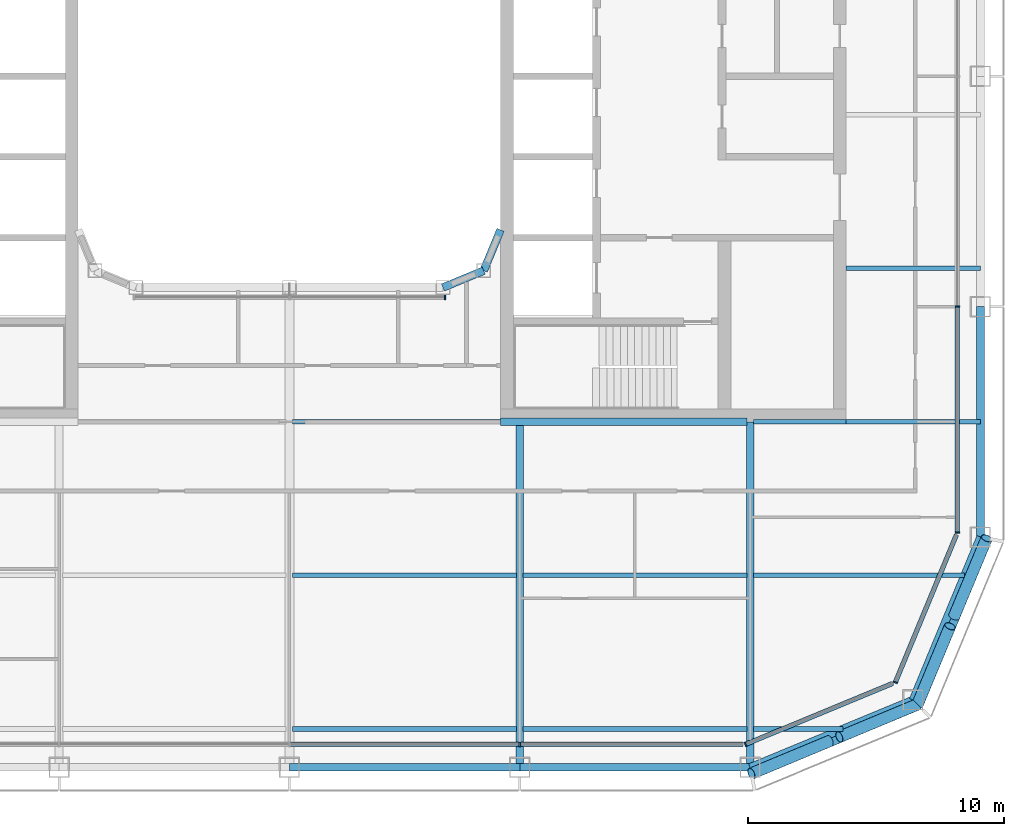
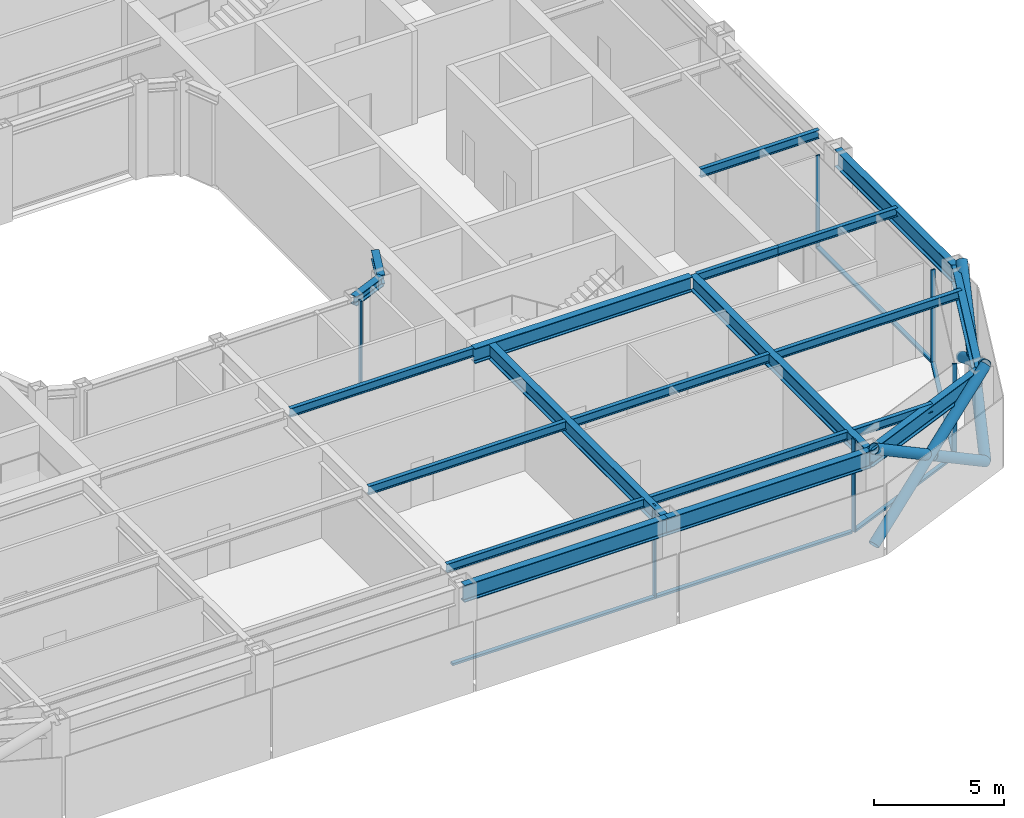
# One storey, part 4 of 19: 20 beams, 17 members, 5 elements without a shape of their own.
"""IFC4 building model written with IfcOpenShell, lengths in metres."""

from ifc_helpers import new_model, si_unit, direction, frame, origin, origin_2d, place, context, subcontext, project, spatial, rectangle, hollow_circle, i_section, extrude, material, layer, layer_set, material_profile, profile_set, type_object, element, aggregate, save


model = new_model("IFC4")

# Units and contexts
model_context = context("Model", 3, precision=1e-05, world=origin(), true_north=direction((0.0, 1.0)))
body_context = subcontext(model_context, "Body", "Model", "MODEL_VIEW")
ifc_project = project(units=[si_unit("LENGTHUNIT", "METRE"), si_unit("AREAUNIT", "SQUARE_METRE"), si_unit("VOLUMEUNIT", "CUBIC_METRE"), si_unit("PLANEANGLEUNIT", "RADIAN"), si_unit("MASSUNIT", "GRAM", prefix="KILO")], contexts=[model_context])

# Site, building, storey
site_placement = place(None, origin())
site = spatial("IfcSite", under=ifc_project, at=site_placement, CompositionType="ELEMENT")
building_placement = place(site_placement, origin())
building = spatial("IfcBuilding", under=site, at=building_placement, Name="Siwar Civic Tower", CompositionType="ELEMENT")
storey_placement = place(building_placement, frame((0.0, 0.0, 264.699951171875)))
storey = spatial("IfcBuildingStorey", under=building, at=storey_placement, Name="L57", CompositionType="ELEMENT", Elevation=264.699951171875)

# Curtain wall, member
ifc_material_1 = material(Name="Aluminium and glass", Category="aluminium")
ifc_layer_1 = layer(ifc_material_1, 0.179931640625)
ifc_layer_set_1 = layer_set([ifc_layer_1], Name="Aluminium and glass")
curtain_wall_type_1 = type_object("IfcCurtainWallType", Name="ENV-CW-C", PredefinedType="NOTDEFINED", material=ifc_layer_set_1)
curtain_wall_1_placement = place(storey_placement, origin())
curtain_wall_1 = element("IfcCurtainWall", 1, at=curtain_wall_1_placement, inside=storey, type_object=curtain_wall_type_1, Name="Curtain wall C S", PredefinedType="NOTDEFINED")
ifc_material_2 = material(Name="Aluminium 6063-T6", Category="aluminium")
ifc_material_profile_1 = material_profile(ifc_material_2, rectangle(XDim=0.179931640625, YDim=0.06005859375, at=origin_2d()), Name="AL 180x60")
ifc_profile_set_1 = profile_set([ifc_material_profile_1], Name="Aluminium 6063-T6")
member_type_1 = type_object("IfcMemberType", Name="ENV-MULLION-C", PredefinedType="MULLION", material=ifc_profile_set_1)
member_1_placement = place(storey_placement, frame((9.0, -26.10009765625, 0.0), z_axis=(0.0, 0.0, 1.0), x_axis=(0.0, 1.0, 0.0)))
member_1 = element("IfcMember", 2, at=member_1_placement, type_object=member_type_1, Name="Mullion C S 4", PredefinedType="MULLION", context=body_context, shape_type="SweptSolid", body=[
    extrude(rectangle(XDim=0.179931640625, YDim=0.06005859375, at=origin_2d()), origin(), (0.0, 0.0, 1.0), 4.35009765625),
])

ifc_material_3 = material(Name="Aluminium clad insulated panel", Category="aluminium")
ifc_layer_2 = layer(ifc_material_3, 0.179931640625)
ifc_layer_set_2 = layer_set([ifc_layer_2], Name="Aluminium clad insulated panel")
curtain_wall_type_2 = type_object("IfcCurtainWallType", Name="ENV-CW-CX", PredefinedType="NOTDEFINED", material=ifc_layer_set_2)
curtain_wall_2_placement = place(storey_placement, origin())
curtain_wall_2 = element("IfcCurtainWall", 3, at=curtain_wall_2_placement, inside=storey, type_object=curtain_wall_type_2, Name="Curtain wall C SE1", PredefinedType="NOTDEFINED")
member_2_placement = place(storey_placement, frame((17.821044921875, -26.10009765625, 0.0), z_axis=(0.0, 0.0, 1.0), x_axis=(-0.382683432365, 0.923879532511, 0.0)))
member_2 = element("IfcMember", 4, at=member_2_placement, type_object=member_type_1, Name="Mullion C SE1 1", PredefinedType="MULLION", context=body_context, shape_type="SweptSolid", body=[
    extrude(rectangle(XDim=0.179931640625, YDim=0.06005859375, at=origin_2d()), origin(), (0.0, 0.0, 1.0), 4.35009765625),
])

curtain_wall_3_placement = place(storey_placement, origin())
curtain_wall_3 = element("IfcCurtainWall", 5, at=curtain_wall_3_placement, inside=storey, type_object=curtain_wall_type_2, Name="Curtain wall C SE2", PredefinedType="NOTDEFINED")
member_3_placement = place(storey_placement, frame((23.675048828125, -23.675048828125, 0.0), z_axis=(0.0, 0.0, 1.0), x_axis=(-0.923879532511, 0.382683432365, 0.0)))
member_3 = element("IfcMember", 6, at=member_3_placement, type_object=member_type_1, Name="Mullion C SE2 1", PredefinedType="MULLION", context=body_context, shape_type="SweptSolid", body=[
    extrude(rectangle(XDim=0.179931640625, YDim=0.06005859375, at=origin_2d()), origin(), (0.0, 0.0, 1.0), 4.35009765625),
])

# Curtain wall, members
curtain_wall_4_placement = place(storey_placement, origin())
curtain_wall_4 = element("IfcCurtainWall", 7, at=curtain_wall_4_placement, inside=storey, type_object=curtain_wall_type_1, Name="Curtain wall C E", PredefinedType="NOTDEFINED")
member_4_placement = place(storey_placement, frame((26.10009765625, -17.821044921875, 0.0), z_axis=(0.0, 0.0, 1.0), x_axis=(-1.0, 0.0, 0.0)))
member_4 = element("IfcMember", 8, at=member_4_placement, type_object=member_type_1, Name="Mullion C E 1", PredefinedType="MULLION", context=body_context, shape_type="SweptSolid", body=[
    extrude(rectangle(XDim=0.179931640625, YDim=0.06005859375, at=origin_2d()), origin(), (0.0, 0.0, 1.0), 4.35009765625),
])
member_5_placement = place(storey_placement, frame((26.10009765625, -9.0, 0.0), z_axis=(0.0, 0.0, 1.0), x_axis=(-1.0, 0.0, 0.0)))
member_5 = element("IfcMember", 9, at=member_5_placement, type_object=member_type_1, Name="Mullion C E 2", PredefinedType="MULLION", context=body_context, shape_type="SweptSolid", body=[
    extrude(rectangle(XDim=0.179931640625, YDim=0.06005859375, at=origin_2d()), origin(), (0.0, 0.0, 1.0), 4.35009765625),
])

# Curtain wall, member
ifc_material_4 = material(Name="Aluminium and glass", Category="aluminium")
ifc_layer_3 = layer(ifc_material_4, 0.179931640625)
ifc_layer_set_3 = layer_set([ifc_layer_3], Name="Aluminium and glass")
curtain_wall_type_3 = type_object("IfcCurtainWallType", Name="ENV-CW-W", PredefinedType="NOTDEFINED", material=ifc_layer_set_3)
curtain_wall_5_placement = place(storey_placement, origin())
curtain_wall_5 = element("IfcCurtainWall", 10, at=curtain_wall_5_placement, inside=storey, type_object=curtain_wall_type_3, Name="Curtain wall W WS", PredefinedType="NOTDEFINED")
ifc_material_5 = material(Name="Aluminium 6063-T6", Category="aluminium")
ifc_material_profile_2 = material_profile(ifc_material_5, rectangle(XDim=0.179931640625, YDim=0.06005859375, at=origin_2d()), Name="AL 180x60")
ifc_profile_set_2 = profile_set([ifc_material_profile_2], Name="Aluminium 6063-T6")
member_type_2 = type_object("IfcMemberType", Name="ENV-MULLION-W", PredefinedType="MULLION", material=ifc_profile_set_2)
member_6_placement = place(storey_placement, frame((6.07666015625, -8.635009765625, 0.0), z_axis=(0.0, 0.0, 1.0), x_axis=(0.0, 1.0, 0.0)))
member_6 = element("IfcMember", 11, at=member_6_placement, type_object=member_type_2, Name="Mullion W WS 3", PredefinedType="MULLION", context=body_context, shape_type="SweptSolid", body=[
    extrude(rectangle(XDim=0.179931640625, YDim=0.06005859375, at=origin_2d()), origin(), (0.0, 0.0, 1.0), 4.35009765625),
])
aggregate(curtain_wall_5, [member_6])

# Member
ifc_material_6 = material(Name="Aluminium 6063-T6", Category="aluminium")
ifc_material_profile_3 = material_profile(ifc_material_6, rectangle(XDim=0.179931640625, YDim=0.10009765625, at=origin_2d()), Name="AL 180x100")
ifc_profile_set_3 = profile_set([ifc_material_profile_3], Name="Aluminium 6063-T6")
member_type_3 = type_object("IfcMemberType", Name="ENV-TRANSOM-C", PredefinedType="USERDEFINED", material=ifc_profile_set_3)
member_7_placement = place(storey_placement, frame((0.030029296875, -26.10009765625, 0.050048828125), z_axis=(1.0, 0.0, 0.0), x_axis=(0.0, 1.0, 0.0)))
member_7 = element("IfcMember", 12, at=member_7_placement, type_object=member_type_3, Name="Transom C S 3", ObjectType="TRANSOM", PredefinedType="USERDEFINED", context=body_context, shape_type="SweptSolid", body=[
    extrude(rectangle(XDim=0.179931640625, YDim=0.10009765625, at=origin_2d()), origin(), (0.0, 0.0, 1.0), 8.93994140625),
])

member_8_placement = place(storey_placement, frame((9.030029296875, -26.10009765625, 0.050048828125), z_axis=(1.0, 0.0, 0.0), x_axis=(0.0, 1.0, 0.0)))
member_8 = element("IfcMember", 13, at=member_8_placement, type_object=member_type_3, Name="Transom C S 4", ObjectType="TRANSOM", PredefinedType="USERDEFINED", context=body_context, shape_type="SweptSolid", body=[
    extrude(rectangle(XDim=0.179931640625, YDim=0.10009765625, at=origin_2d()), origin(), (0.0, 0.0, 1.0), 8.68603515625),
])

aggregate(curtain_wall_1, [member_1, member_7, member_8])

member_9_placement = place(storey_placement, frame((17.8486328125, -26.088623046875, 0.050048828125), z_axis=(0.923882011223, 0.38267744817, 0.0), x_axis=(-0.38267744817, 0.923882011223, 0.0)))
member_9 = element("IfcMember", 14, at=member_9_placement, type_object=member_type_3, Name="Transom C SE1 1", ObjectType="TRANSOM", PredefinedType="USERDEFINED", context=body_context, shape_type="SweptSolid", body=[
    extrude(rectangle(XDim=0.179931640625, YDim=0.10009765625, at=origin_2d()), origin(), (0.0, 0.0, 1.0), 6.201904296875),
])

aggregate(curtain_wall_2, [member_2, member_9])

member_10_placement = place(storey_placement, frame((23.6865234375, -23.6474609375, 0.050048828125), z_axis=(0.382691366456, 0.923876246063, 0.0), x_axis=(-0.923876246063, 0.382691366456, 0.0)))
member_10 = element("IfcMember", 15, at=member_10_placement, type_object=member_type_3, Name="Transom C SE2 1", ObjectType="TRANSOM", PredefinedType="USERDEFINED", context=body_context, shape_type="SweptSolid", body=[
    extrude(rectangle(XDim=0.179931640625, YDim=0.10009765625, at=origin_2d()), origin(), (0.0, 0.0, 1.0), 6.20166015625),
])

aggregate(curtain_wall_3, [member_3, member_10])

member_11_placement = place(storey_placement, frame((26.10009765625, -17.791015625, 0.050048828125), z_axis=(0.0, 1.0, 0.0), x_axis=(-1.0, 0.0, 0.0)))
member_11 = element("IfcMember", 16, at=member_11_placement, type_object=member_type_3, Name="Transom C E 1", ObjectType="TRANSOM", PredefinedType="USERDEFINED", context=body_context, shape_type="SweptSolid", body=[
    extrude(rectangle(XDim=0.179931640625, YDim=0.10009765625, at=origin_2d()), origin(), (0.0, 0.0, 1.0), 8.760986328125),
])

aggregate(curtain_wall_4, [member_4, member_5, member_11])

# Members
ifc_material_7 = material(Name="Steel S355", Category="steel")
ifc_material_profile_4 = material_profile(ifc_material_7, hollow_circle(Radius=0.228515625, WallThickness=0.02001953125, at=origin_2d()), Name="CHS457x20")
ifc_profile_set_4 = profile_set([ifc_material_profile_4], Name="Steel S355")
member_type_4 = type_object("IfcMemberType", Name="STR-BR-CHS457x20", PredefinedType="BRACE", material=ifc_profile_set_4)
member_12_placement = place(storey_placement, frame((27.2451171875, -18.048828125, 0.0), z_axis=(-0.323905527954, -0.777554562952, 0.538975055633), x_axis=(0.923108759191, -0.384538969033, 0.0)))
element("IfcMember", 17, at=member_12_placement, inside=storey, type_object=member_type_4, Name="L57/brc/CSE1-17-0-1", PredefinedType="BRACE", context=body_context, shape_type="SweptSolid", body=[
    extrude(hollow_circle(Radius=0.228515625, WallThickness=0.02001953125, at=origin_2d()), origin(), (0.0, 0.0, 1.0), 8.34912109375),
])
for number, where, z_axis, x_axis, name in (
    (18, (24.540771484375, -24.540771484375, 0.0), (0.323884455881, 0.777546448489, 0.538999424564), (-0.92311621485, 0.38452107079, 0.0), "L57/brc/CSE1-17-0-2"),
    (19, (25.972900390625, -21.10302734375, 2.383056640625), (0.323895306243, 0.777572496853, 0.538955325357), (-0.92311621485, 0.38452107079, 0.0), "L57/brc/CSE1-17-0-3"),
):
    element("IfcMember", number, at=place(storey_placement, frame(where, z_axis=z_axis, x_axis=x_axis)), inside=storey, type_object=member_type_4, Name=name, PredefinedType="BRACE", context=body_context, shape_type="SweptSolid", body=[
        extrude(hollow_circle(Radius=0.228515625, WallThickness=0.02001953125, at=origin_2d()), origin(), (0.0, 0.0, 1.0), 3.927978515625),
    ])
member_13_placement = place(storey_placement, frame((18.048828125, -27.2451171875, 0.0), z_axis=(0.777554562952, 0.323905527954, 0.538975055633), x_axis=(-0.384538969033, 0.923108759191, 0.0)))
element("IfcMember", 20, at=member_13_placement, inside=storey, type_object=member_type_4, Name="L57/brc/CSE1-17-0-0", PredefinedType="BRACE", context=body_context, shape_type="SweptSolid", body=[
    extrude(hollow_circle(Radius=0.228515625, WallThickness=0.02001953125, at=origin_2d()), origin(), (0.0, 0.0, 1.0), 8.34912109375),
])
for number, where, z_axis, x_axis, name in (
    (21, (24.540771484375, -24.540771484375, 0.0), (-0.777546448489, -0.323884455881, 0.538999424564), (0.38452107079, -0.92311621485, 0.0), "L57/brc/CSE1-17-0-4"),
    (22, (21.10302734375, -25.972900390625, 2.383056640625), (-0.777572496853, -0.323895306243, 0.538955325357), (0.38452107079, -0.92311621485, 0.0), "L57/brc/CSE1-17-0-5"),
):
    element("IfcMember", number, at=place(storey_placement, frame(where, z_axis=z_axis, x_axis=x_axis)), inside=storey, type_object=member_type_4, Name=name, PredefinedType="BRACE", context=body_context, shape_type="SweptSolid", body=[
        extrude(hollow_circle(Radius=0.228515625, WallThickness=0.02001953125, at=origin_2d()), origin(), (0.0, 0.0, 1.0), 3.927978515625),
    ])

# Beams
ifc_material_8 = material(Name="Steel S355", Category="steel")
ifc_material_profile_5 = material_profile(ifc_material_8, i_section(OverallWidth=0.179931640625, OverallDepth=0.39990234375, WebThickness=0.008544921875, FlangeThickness=0.013427734375, FilletRadius=0.02099609375, at=origin_2d()), Name="IPE400")
ifc_profile_set_5 = profile_set([ifc_material_profile_5], Name="Steel S355")
beam_type_1 = type_object("IfcBeamType", Name="STR-FB-IPE400", PredefinedType="JOIST", material=ifc_profile_set_5)
for number, where, z_axis, x_axis, name in (
    (23, (0.1298828125, -25.5, 4.150146484375), (1.0, 0.0, 0.0), (0.0, 1.0, 0.0), "L57/bm/F004"),
    (24, (9.1298828125, -25.5, 4.150146484375), (1.0, 0.0, 0.0), (0.0, 1.0, 0.0), "L57/bm/F005"),
):
    element("IfcBeam", number, at=place(storey_placement, frame(where, z_axis=z_axis, x_axis=x_axis)), inside=storey, type_object=beam_type_1, Name=name, PredefinedType="JOIST", context=body_context, shape_type="SweptSolid", body=[
        extrude(i_section(OverallWidth=0.179931640625, OverallDepth=0.39990234375, WebThickness=0.008544921875, FlangeThickness=0.013427734375, FilletRadius=0.02099609375, at=origin_2d()), origin(), (0.0, 0.0, 1.0), 8.740234375),
    ])
beam_1_placement = place(storey_placement, frame((18.1298828125, -25.5, 4.150146484375), z_axis=(1.0, 0.0, 0.0), x_axis=(0.0, 1.0, 0.0)))
element("IfcBeam", 25, at=beam_1_placement, inside=storey, type_object=beam_type_1, Name="L57/bm/F006", PredefinedType="JOIST", context=body_context, shape_type="SweptSolid", body=[
    extrude(i_section(OverallWidth=0.179931640625, OverallDepth=0.39990234375, WebThickness=0.008544921875, FlangeThickness=0.013427734375, FilletRadius=0.02099609375, at=origin_2d()), origin(), (0.0, 0.0, 1.0), 3.491455078125),
])
for number, where, z_axis, x_axis, name in (
    (26, (0.1298828125, -19.5, 4.150146484375), (1.0, 0.0, 0.0), (0.0, 1.0, 0.0), "L57/bm/F010"),
    (27, (9.1298828125, -19.5, 4.150146484375), (1.0, 0.0, 0.0), (0.0, 1.0, 0.0), "L57/bm/F011"),
):
    element("IfcBeam", number, at=place(storey_placement, frame(where, z_axis=z_axis, x_axis=x_axis)), inside=storey, type_object=beam_type_1, Name=name, PredefinedType="JOIST", context=body_context, shape_type="SweptSolid", body=[
        extrude(i_section(OverallWidth=0.179931640625, OverallDepth=0.39990234375, WebThickness=0.008544921875, FlangeThickness=0.013427734375, FilletRadius=0.02099609375, at=origin_2d()), origin(), (0.0, 0.0, 1.0), 8.740234375),
    ])
beam_2_placement = place(storey_placement, frame((18.1298828125, -19.5, 4.150146484375), z_axis=(1.0, 0.0, 0.0), x_axis=(0.0, 1.0, 0.0)))
element("IfcBeam", 28, at=beam_2_placement, inside=storey, type_object=beam_type_1, Name="L57/bm/F012", PredefinedType="JOIST", context=body_context, shape_type="SweptSolid", body=[
    extrude(i_section(OverallWidth=0.179931640625, OverallDepth=0.39990234375, WebThickness=0.008544921875, FlangeThickness=0.013427734375, FilletRadius=0.02099609375, at=origin_2d()), origin(), (0.0, 0.0, 1.0), 8.248779296875),
])
beam_3_placement = place(storey_placement, frame((0.1298828125, -13.5, 4.150146484375), z_axis=(1.0, 0.0, 0.0), x_axis=(0.0, 1.0, 0.0)))
element("IfcBeam", 29, at=beam_3_placement, inside=storey, type_object=beam_type_1, Name="L57/bm/F017", PredefinedType="JOIST", context=body_context, shape_type="SweptSolid", body=[
    extrude(i_section(OverallWidth=0.179931640625, OverallDepth=0.39990234375, WebThickness=0.008544921875, FlangeThickness=0.013427734375, FilletRadius=0.02099609375, at=origin_2d()), origin(), (0.0, 0.0, 1.0), 8.1201171875),
])
beam_4_placement = place(storey_placement, frame((18.1298828125, -13.5, 4.150146484375), z_axis=(1.0, 0.0, 0.0), x_axis=(0.0, 1.0, 0.0)))
element("IfcBeam", 30, at=beam_4_placement, inside=storey, type_object=beam_type_1, Name="L57/bm/F019", PredefinedType="JOIST", context=body_context, shape_type="SweptSolid", body=[
    extrude(i_section(OverallWidth=0.179931640625, OverallDepth=0.39990234375, WebThickness=0.008544921875, FlangeThickness=0.013427734375, FilletRadius=0.02099609375, at=origin_2d()), origin(), (0.0, 0.0, 1.0), 3.6201171875),
])
for number, where, z_axis, x_axis, name in (
    (31, (21.75, -13.5, 4.150146484375), (1.0, 0.0, 0.0), (0.0, 1.0, 0.0), "L57/bm/F020"),
    (32, (21.75, -7.5, 4.150146484375), (1.0, 0.0, 0.0), (0.0, 1.0, 0.0), "L57/bm/F022"),
):
    element("IfcBeam", number, at=place(storey_placement, frame(where, z_axis=z_axis, x_axis=x_axis)), inside=storey, type_object=beam_type_1, Name=name, PredefinedType="JOIST", context=body_context, shape_type="SweptSolid", body=[
        extrude(i_section(OverallWidth=0.179931640625, OverallDepth=0.39990234375, WebThickness=0.008544921875, FlangeThickness=0.013427734375, FilletRadius=0.02099609375, at=origin_2d()), origin(), (0.0, 0.0, 1.0), 5.25),
    ])
ifc_material_9 = material(Name="Steel S355", Category="steel")
ifc_material_profile_6 = material_profile(ifc_material_9, i_section(OverallWidth=0.300048828125, OverallDepth=0.699951171875, WebThickness=0.01708984375, FlangeThickness=0.031982421875, FilletRadius=0.027099609375, at=origin_2d()), Name="HEB700")
ifc_profile_set_6 = profile_set([ifc_material_profile_6], Name="Steel S355")
beam_type_2 = type_object("IfcBeamType", Name="STR-PG-HEB700", PredefinedType="BEAM", material=ifc_profile_set_6)
for number, where, z_axis, x_axis, name in (
    (33, (9.0, -27.0, 4.0), (0.0, 1.0, 0.0), (-1.0, 0.0, 0.0), "L57/bm/G07"),
    (34, (18.0, -27.0, 4.0), (0.0, 1.0, 0.0), (-1.0, 0.0, 0.0), "L57/bm/G09"),
):
    element("IfcBeam", number, at=place(storey_placement, frame(where, z_axis=z_axis, x_axis=x_axis)), inside=storey, type_object=beam_type_2, Name=name, PredefinedType="BEAM", context=body_context, shape_type="SweptSolid", body=[
        extrude(i_section(OverallWidth=0.300048828125, OverallDepth=0.699951171875, WebThickness=0.01708984375, FlangeThickness=0.031982421875, FilletRadius=0.027099609375, at=origin_2d()), origin(), (0.0, 0.0, 1.0), 13.5),
    ])
beam_5_placement = place(storey_placement, frame((8.25, -13.5, 4.0), z_axis=(1.0, 0.0, 0.0), x_axis=(0.0, 1.0, 0.0)))
element("IfcBeam", 35, at=beam_5_placement, inside=storey, type_object=beam_type_2, Name="L57/bm/F018", PredefinedType="BEAM", context=body_context, shape_type="SweptSolid", body=[
    extrude(i_section(OverallWidth=0.300048828125, OverallDepth=0.699951171875, WebThickness=0.01708984375, FlangeThickness=0.031982421875, FilletRadius=0.027099609375, at=origin_2d()), origin(), (0.0, 0.0, 1.0), 9.6201171875),
])
ifc_material_10 = material(Name="Steel S355", Category="steel")
ifc_material_profile_7 = material_profile(ifc_material_10, i_section(OverallWidth=0.306884765625, OverallDepth=0.431884765625, WebThickness=0.02099609375, FlangeThickness=0.0400390625, FilletRadius=0.027099609375, at=origin_2d()), Name="HEM400")
ifc_profile_set_7 = profile_set([ifc_material_profile_7], Name="Steel S355")
beam_type_3 = type_object("IfcBeamType", Name="STR-RB-HEM400", PredefinedType="BEAM", material=ifc_profile_set_7)
for number, where, z_axis, x_axis, name in (
    (36, (6.0, -8.25, 4.134033203125), (0.923901072997, 0.382631424892, 0.0), (-0.382631424892, 0.923901072997, 0.0), "L57/bm/RS3"),
    (37, (7.591064453125, -7.591064453125, 4.134033203125), (0.382631424892, 0.923901072997, 0.0), (-0.923901072997, 0.382631424892, 0.0), "L57/bm/RSEE"),
):
    element("IfcBeam", number, at=place(storey_placement, frame(where, z_axis=z_axis, x_axis=x_axis)), inside=storey, type_object=beam_type_3, Name=name, PredefinedType="BEAM", context=body_context, shape_type="SweptSolid", body=[
        extrude(i_section(OverallWidth=0.306884765625, OverallDepth=0.431884765625, WebThickness=0.02099609375, FlangeThickness=0.0400390625, FilletRadius=0.027099609375, at=origin_2d()), origin(), (0.0, 0.0, 1.0), 1.72216796875),
    ])
ifc_material_11 = material(Name="Steel S355", Category="steel")
ifc_material_profile_8 = material_profile(ifc_material_11, i_section(OverallWidth=0.300048828125, OverallDepth=0.800048828125, WebThickness=0.017578125, FlangeThickness=0.032958984375, FilletRadius=0.030029296875, at=origin_2d()), Name="HEB800")
ifc_profile_set_8 = profile_set([ifc_material_profile_8], Name="Steel S355")
beam_type_4 = type_object("IfcBeamType", Name="STR-SB-HEB800", PredefinedType="BEAM", material=ifc_profile_set_8)
for number, where, z_axis, x_axis, name in (
    (38, (0.0, -27.0, 3.949951171875), (1.0, 0.0, 0.0), (0.0, 1.0, 0.0), "L57/bm/SS-2"),
    (39, (9.0, -27.0, 3.949951171875), (1.0, 0.0, 0.0), (0.0, 1.0, 0.0), "L57/bm/SS-3"),
):
    element("IfcBeam", number, at=place(storey_placement, frame(where, z_axis=z_axis, x_axis=x_axis)), inside=storey, type_object=beam_type_4, Name=name, PredefinedType="BEAM", context=body_context, shape_type="SweptSolid", body=[
        extrude(i_section(OverallWidth=0.300048828125, OverallDepth=0.800048828125, WebThickness=0.017578125, FlangeThickness=0.032958984375, FilletRadius=0.030029296875, at=origin_2d()), origin(), (0.0, 0.0, 1.0), 9.0),
    ])
for number, where, z_axis, x_axis, name in (
    (40, (18.0, -27.0, 3.949951171875), (0.923883353507, 0.382674207535, 0.0), (-0.382674207535, 0.923883353507, 0.0), "L57/bm/SSE1-0"),
    (41, (24.364013671875, -24.364013671875, 3.949951171875), (0.382674207535, 0.923883353507, 0.0), (-0.923883353507, 0.382674207535, 0.0), "L57/bm/SSE2-0"),
):
    element("IfcBeam", number, at=place(storey_placement, frame(where, z_axis=z_axis, x_axis=x_axis)), inside=storey, type_object=beam_type_4, Name=name, PredefinedType="BEAM", context=body_context, shape_type="SweptSolid", body=[
        extrude(i_section(OverallWidth=0.300048828125, OverallDepth=0.800048828125, WebThickness=0.017578125, FlangeThickness=0.032958984375, FilletRadius=0.030029296875, at=origin_2d()), origin(), (0.0, 0.0, 1.0), 6.888427734375),
    ])
beam_6_placement = place(storey_placement, frame((27.0, -18.0, 3.949951171875), z_axis=(0.0, 1.0, 0.0), x_axis=(-1.0, 0.0, 0.0)))
element("IfcBeam", 42, at=beam_6_placement, inside=storey, type_object=beam_type_4, Name="L57/bm/SE-0", PredefinedType="BEAM", context=body_context, shape_type="SweptSolid", body=[
    extrude(i_section(OverallWidth=0.300048828125, OverallDepth=0.800048828125, WebThickness=0.017578125, FlangeThickness=0.032958984375, FilletRadius=0.030029296875, at=origin_2d()), origin(), (0.0, 0.0, 1.0), 9.0),
])

save(model, "model.ifc")
